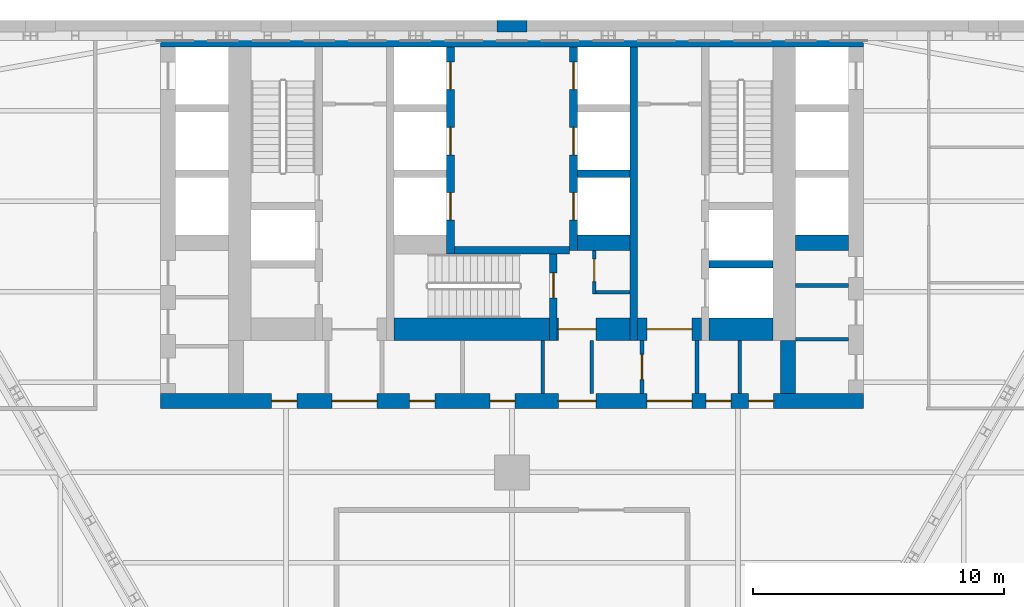
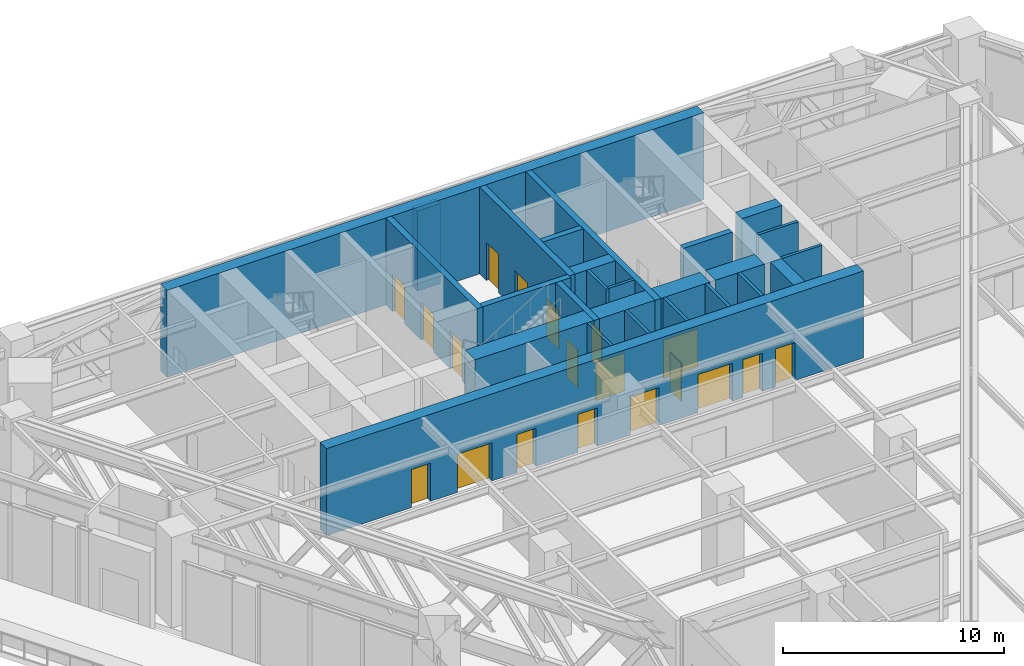
# One storey, part 20 of 25: 26 walls, 19 doors, 19 openings.
"""IFC4 building model written with IfcOpenShell, lengths in metres."""

from ifc_helpers import new_model, si_unit, direction, frame, frame_2d, origin, place, context, subcontext, project, spatial, rectangle, extrude, material, layer, layer_set, type_object, element, fill, save


model = new_model("IFC4")

# Units and contexts
model_context = context("Model", 3, precision=1e-05, world=origin(), true_north=direction((0.0, 1.0)))
body_context = subcontext(model_context, "Body", "Model", "MODEL_VIEW")
ifc_project = project(units=[si_unit("LENGTHUNIT", "METRE"), si_unit("AREAUNIT", "SQUARE_METRE"), si_unit("VOLUMEUNIT", "CUBIC_METRE"), si_unit("PLANEANGLEUNIT", "RADIAN"), si_unit("MASSUNIT", "GRAM", prefix="KILO")], contexts=[model_context])

# Site, building, storey
site_placement = place(None, origin())
site = spatial("IfcSite", under=ifc_project, at=site_placement, CompositionType="ELEMENT")
building_placement = place(site_placement, origin())
building = spatial("IfcBuilding", under=site, at=building_placement, Name="Aloe Facet Convention Tower", CompositionType="ELEMENT")
storey_placement = place(building_placement, frame((0.0, 0.0, 30.0)))
storey = spatial("IfcBuildingStorey", under=building, at=storey_placement, Name="L05", CompositionType="ELEMENT", Elevation=30.0)

# Walls
ifc_material_1 = material(Name="Concrete blockwork partition", Category="masonry")
ifc_layer_1 = layer(ifc_material_1, 0.14990234375)
ifc_layer_set_1 = layer_set([ifc_layer_1], Name="CR-W-PART150")
wall_type_1 = type_object("IfcWallType", Name="CR-W-PART150", PredefinedType="PARTITIONING", material=ifc_layer_set_1)
for number, where, z_axis, x_axis, name in (
    (1, (81.22509765625, 122.25, 0.0), (0.0, 0.0, 1.0), (0.0, -1.0, 0.0), "Core partition L05-027"),
    (2, (83.175048828125, 122.25, 0.0), (0.0, 0.0, 1.0), (0.0, -1.0, 0.0), "Core partition L05-034"),
):
    element("IfcWall", number, at=place(storey_placement, frame(where, z_axis=z_axis, x_axis=x_axis)), inside=storey, type_object=wall_type_1, Name=name, PredefinedType="PARTITIONING", context=body_context, shape_type="SweptSolid", body=[
        extrude(rectangle(XDim=2.10009765625, YDim=0.14990234375, at=frame_2d((1.050048828125, 0.0))), origin(), (0.0, 0.0, 1.0), 4.800048828125),
    ])

# Wall, opening, door
wall_1_placement = place(storey_placement, frame((83.27490234375, 125.85009765625, 0.0), z_axis=(0.0, 0.0, 1.0), x_axis=(0.0, -1.0, 0.0)))
wall_1 = element("IfcWall", 3, at=wall_1_placement, inside=storey, type_object=wall_type_1, Name="Core partition L05-035", PredefinedType="PARTITIONING", context=body_context, shape_type="SweptSolid", body=[
    extrude(rectangle(XDim=1.75, YDim=0.14990234375, at=frame_2d((0.875, 0.0))), origin(), (0.0, 0.0, 1.0), 4.800048828125),
])
opening_1_placement = place(wall_1_placement, frame((0.35009765625, 0.0, 0.0)))
opening_1 = element("IfcOpeningElement", 4, at=opening_1_placement, cuts=wall_1, Name="Opening L05-CD20", PredefinedType="OPENING", context=body_context, shape_type="SweptSolid", body=[
    extrude(rectangle(XDim=0.89990234375, YDim=2.10009765625, at=frame_2d((0.449951171875, 1.050048828125))), frame((0.0, 0.0849609375, 0.0), z_axis=(0.0, -1.0, 0.0), x_axis=(1.0, 0.0, 0.0)), (0.0, 0.0, 1.0), 0.169921875),
])
ifc_material_2 = material(Name="Steel fire-resisting door set FD60", Category="steel")
door_type_1 = type_object("IfcDoorType", Name="CR-D-REFUGE-900-FD60-SRIGHT", OperationType="SINGLE_SWING_RIGHT", PredefinedType="DOOR", material=ifc_material_2)
door_1_placement = place(opening_1_placement, origin())
door_1 = element("IfcDoor", 5, at=door_1_placement, inside=storey, type_object=door_type_1, Name="Core door L05-CD20", OperationType="SINGLE_SWING_RIGHT", OverallHeight=2.10009765625, OverallWidth=0.89990234375, PredefinedType="DOOR", context=body_context, shape_type="SweptSolid", body=[
    extrude(rectangle(XDim=0.89990234375, YDim=2.10009765625, at=frame_2d((0.449951171875, 1.050048828125))), frame((0.0, 0.02490234375, 0.0), z_axis=(0.0, -1.0, 0.0), x_axis=(1.0, 0.0, 0.0)), (0.0, 0.0, 1.0), 0.050048828125),
])
fill(opening_1, door_1)

# Wall
wall_2_placement = place(storey_placement, frame((83.35009765625, 124.175048828125, 0.0), z_axis=(0.0, 0.0, 1.0), x_axis=(1.0, 0.0, 0.0)))
element("IfcWall", 6, at=wall_2_placement, inside=storey, type_object=wall_type_1, Name="Core partition L05-036", PredefinedType="PARTITIONING", context=body_context, shape_type="SweptSolid", body=[
    extrude(rectangle(XDim=1.349853515625, YDim=0.14990234375, at=frame_2d((0.6748046875, 0.0))), origin(), (0.0, 0.0, 1.0), 4.800048828125),
])

# Wall, opening, door
wall_3_placement = place(storey_placement, frame((85.175048828125, 122.25, 0.0), z_axis=(0.0, 0.0, 1.0), x_axis=(0.0, -1.0, 0.0)))
wall_3 = element("IfcWall", 7, at=wall_3_placement, inside=storey, type_object=wall_type_1, Name="Core partition L05-040", PredefinedType="PARTITIONING", context=body_context, shape_type="SweptSolid", body=[
    extrude(rectangle(XDim=2.10009765625, YDim=0.14990234375, at=frame_2d((1.050048828125, 0.0))), origin(), (0.0, 0.0, 1.0), 4.800048828125),
])
opening_2_placement = place(wall_3_placement, frame((0.550048828125, 0.0, 0.0)))
opening_2 = element("IfcOpeningElement", 8, at=opening_2_placement, cuts=wall_3, Name="Opening L05-CD27", PredefinedType="OPENING", context=body_context, shape_type="SweptSolid", body=[
    extrude(rectangle(XDim=1.0, YDim=2.10009765625, at=frame_2d((0.5, 1.050048828125))), frame((0.0, 0.0849609375, 0.0), z_axis=(0.0, -1.0, 0.0), x_axis=(1.0, 0.0, 0.0)), (0.0, 0.0, 1.0), 0.169921875),
])
ifc_material_3 = material(Name="Steel fire-resisting door set FD60", Category="steel")
door_type_2 = type_object("IfcDoorType", Name="CR-D-ROOM-1000-FD60-SRIGHT", OperationType="SINGLE_SWING_RIGHT", PredefinedType="DOOR", material=ifc_material_3)
door_2_placement = place(opening_2_placement, origin())
door_2 = element("IfcDoor", 9, at=door_2_placement, inside=storey, type_object=door_type_2, Name="Core door L05-CD27", OperationType="SINGLE_SWING_RIGHT", OverallHeight=2.10009765625, OverallWidth=1.0, PredefinedType="DOOR", context=body_context, shape_type="SweptSolid", body=[
    extrude(rectangle(XDim=1.0, YDim=2.10009765625, at=frame_2d((0.5, 1.050048828125))), frame((0.0, 0.02490234375, 0.0), z_axis=(0.0, -1.0, 0.0), x_axis=(1.0, 0.0, 0.0)), (0.0, 0.0, 1.0), 0.050048828125),
])
fill(opening_2, door_2)

# Walls
for number, where, z_axis, x_axis, name in (
    (10, (87.375, 122.25, 0.0), (0.0, 0.0, 1.0), (0.0, -1.0, 0.0), "Core partition L05-041"),
    (11, (89.074951171875, 122.25, 0.0), (0.0, 0.0, 1.0), (0.0, -1.0, 0.0), "Core partition L05-046"),
):
    element("IfcWall", number, at=place(storey_placement, frame(where, z_axis=z_axis, x_axis=x_axis)), inside=storey, type_object=wall_type_1, Name=name, PredefinedType="PARTITIONING", context=body_context, shape_type="SweptSolid", body=[
        extrude(rectangle(XDim=2.10009765625, YDim=0.14990234375, at=frame_2d((1.050048828125, 0.0))), origin(), (0.0, 0.0, 1.0), 4.800048828125),
    ])
for number, where, z_axis, x_axis, name in (
    (12, (91.300048828125, 124.44873046875, 0.0), (0.0, 0.0, 1.0), (1.0, 0.0, 0.0), "Core partition L05-052"),
    (13, (91.300048828125, 122.309326171875, 0.0), (0.0, 0.0, 1.0), (1.0, 0.0, 0.0), "Core partition L05-053"),
):
    element("IfcWall", number, at=place(storey_placement, frame(where, z_axis=z_axis, x_axis=x_axis)), inside=storey, type_object=wall_type_1, Name=name, PredefinedType="PARTITIONING", context=body_context, shape_type="SweptSolid", body=[
        extrude(rectangle(XDim=2.099853515625, YDim=0.14990234375, at=frame_2d((1.0498046875, 0.0))), origin(), (0.0, 0.0, 1.0), 4.800048828125),
    ])

# Wall, openings, doors
ifc_material_4 = material(Name="Concrete C80/95", Category="concrete")
ifc_layer_2 = layer(ifc_material_4, 0.300048828125)
ifc_layer_set_2 = layer_set([ifc_layer_2], Name="CR-W-RC300-C8095")
wall_type_2 = type_object("IfcWallType", Name="CR-W-RC300-C8095", PredefinedType="SOLIDWALL", material=ifc_layer_set_2)
wall_4_placement = place(storey_placement, frame((77.550048828125, 133.949951171875, 0.0), z_axis=(0.0, 0.0, 1.0), x_axis=(0.0, -1.0, 0.0)))
wall_4 = element("IfcWall", 14, at=wall_4_placement, inside=storey, type_object=wall_type_2, Name="Core wall L05-024", PredefinedType="SOLIDWALL", context=body_context, shape_type="SweptSolid", body=[
    extrude(rectangle(XDim=8.25, YDim=0.300048828125, at=frame_2d((4.125, 0.0))), origin(), (0.0, 0.0, 1.0), 4.800048828125),
])
opening_3_placement = place(wall_4_placement, frame((0.60009765625, 0.0, 0.0)))
opening_3 = element("IfcOpeningElement", 15, at=opening_3_placement, cuts=wall_4, Name="Opening LD-A1-L05", PredefinedType="OPENING", context=body_context, shape_type="SweptSolid", body=[
    extrude(rectangle(XDim=1.10009765625, YDim=2.10009765625, at=frame_2d((0.550048828125, 1.050048828125))), frame((0.0, 0.16015625, 0.0), z_axis=(0.0, -1.0, 0.0), x_axis=(1.0, 0.0, 0.0)), (0.0, 0.0, 1.0), 0.320068359375),
])
opening_4_placement = place(wall_4_placement, frame((3.199951171875, 0.0, 0.0)))
opening_4 = element("IfcOpeningElement", 16, at=opening_4_placement, cuts=wall_4, Name="Opening LD-A2-L05", PredefinedType="OPENING", context=body_context, shape_type="SweptSolid", body=[
    extrude(rectangle(XDim=1.10009765625, YDim=2.10009765625, at=frame_2d((0.550048828125, 1.050048828125))), frame((0.0, 0.16015625, 0.0), z_axis=(0.0, -1.0, 0.0), x_axis=(1.0, 0.0, 0.0)), (0.0, 0.0, 1.0), 0.320068359375),
])
opening_5_placement = place(wall_4_placement, frame((5.800048828125, 0.0, 0.0)))
opening_5 = element("IfcOpeningElement", 17, at=opening_5_placement, cuts=wall_4, Name="Opening LD-A3-L05", PredefinedType="OPENING", context=body_context, shape_type="SweptSolid", body=[
    extrude(rectangle(XDim=1.10009765625, YDim=2.10009765625, at=frame_2d((0.550048828125, 1.050048828125))), frame((0.0, 0.16015625, 0.0), z_axis=(0.0, -1.0, 0.0), x_axis=(1.0, 0.0, 0.0)), (0.0, 0.0, 1.0), 0.320068359375),
])
ifc_material_5 = material(Name="Stainless steel sliding landing door", Category="steel")
door_type_3 = type_object("IfcDoorType", Name="CR-LD-1100-FD60-RIGHT", OperationType="SLIDING_TO_RIGHT", PredefinedType="DOOR", material=ifc_material_5)
door_3_placement = place(opening_3_placement, origin())
door_3 = element("IfcDoor", 18, at=door_3_placement, inside=storey, type_object=door_type_3, Name="Landing door A1 L05", OperationType="SLIDING_TO_RIGHT", OverallHeight=2.10009765625, OverallWidth=1.10009765625, PredefinedType="DOOR", context=body_context, shape_type="SweptSolid", body=[
    extrude(rectangle(XDim=1.10009765625, YDim=2.10009765625, at=frame_2d((0.550048828125, 1.050048828125))), frame((0.0, 0.02490234375, 0.0), z_axis=(0.0, -1.0, 0.0), x_axis=(1.0, 0.0, 0.0)), (0.0, 0.0, 1.0), 0.050048828125),
])
fill(opening_3, door_3)
door_4_placement = place(opening_4_placement, origin())
door_4 = element("IfcDoor", 19, at=door_4_placement, inside=storey, type_object=door_type_3, Name="Landing door A2 L05", OperationType="SLIDING_TO_RIGHT", OverallHeight=2.10009765625, OverallWidth=1.10009765625, PredefinedType="DOOR", context=body_context, shape_type="SweptSolid", body=[
    extrude(rectangle(XDim=1.10009765625, YDim=2.10009765625, at=frame_2d((0.550048828125, 1.050048828125))), frame((0.0, 0.02490234375, 0.0), z_axis=(0.0, -1.0, 0.0), x_axis=(1.0, 0.0, 0.0)), (0.0, 0.0, 1.0), 0.050048828125),
])
fill(opening_4, door_4)
door_5_placement = place(opening_5_placement, origin())
door_5 = element("IfcDoor", 20, at=door_5_placement, inside=storey, type_object=door_type_3, Name="Landing door A3 L05", OperationType="SLIDING_TO_RIGHT", OverallHeight=2.10009765625, OverallWidth=1.10009765625, PredefinedType="DOOR", context=body_context, shape_type="SweptSolid", body=[
    extrude(rectangle(XDim=1.10009765625, YDim=2.10009765625, at=frame_2d((0.550048828125, 1.050048828125))), frame((0.0, 0.02490234375, 0.0), z_axis=(0.0, -1.0, 0.0), x_axis=(1.0, 0.0, 0.0)), (0.0, 0.0, 1.0), 0.050048828125),
])
fill(opening_5, door_5)

# Wall
wall_5_placement = place(storey_placement, frame((77.699951171875, 125.85009765625, 0.0), z_axis=(0.0, 0.0, 1.0), x_axis=(1.0, 0.0, 0.0)))
element("IfcWall", 21, at=wall_5_placement, inside=storey, type_object=wall_type_2, Name="Core wall L05-025", PredefinedType="SOLIDWALL", context=body_context, shape_type="SweptSolid", body=[
    extrude(rectangle(XDim=4.60009765625, YDim=0.300048828125, at=frame_2d((2.300048828125, 0.0))), origin(), (0.0, 0.0, 1.0), 4.800048828125),
])

# Wall, opening, door
wall_6_placement = place(storey_placement, frame((81.64990234375, 125.699951171875, 0.0), z_axis=(0.0, 0.0, 1.0), x_axis=(0.0, -1.0, 0.0)))
wall_6 = element("IfcWall", 22, at=wall_6_placement, inside=storey, type_object=wall_type_2, Name="Core wall L05-028", PredefinedType="SOLIDWALL", context=body_context, shape_type="SweptSolid", body=[
    extrude(rectangle(XDim=3.449951171875, YDim=0.300048828125, at=frame_2d((1.72509765625, 0.0))), origin(), (0.0, 0.0, 1.0), 4.800048828125),
])
opening_6_placement = place(wall_6_placement, frame((0.75, 0.0, 0.0)))
opening_6 = element("IfcOpeningElement", 23, at=opening_6_placement, cuts=wall_6, Name="Opening L05-CD32", PredefinedType="OPENING", context=body_context, shape_type="SweptSolid", body=[
    extrude(rectangle(XDim=1.0, YDim=2.10009765625, at=frame_2d((0.5, 1.050048828125))), frame((0.0, 0.16015625, 0.0), z_axis=(0.0, -1.0, 0.0), x_axis=(1.0, 0.0, 0.0)), (0.0, 0.0, 1.0), 0.320068359375),
])
ifc_material_6 = material(Name="Steel fire-resisting door set FD120", Category="steel")
door_type_4 = type_object("IfcDoorType", Name="CR-D-STAIR-1000-FD120-SLEFT", OperationType="SINGLE_SWING_LEFT", PredefinedType="DOOR", material=ifc_material_6)
door_6_placement = place(opening_6_placement, origin())
door_6 = element("IfcDoor", 24, at=door_6_placement, inside=storey, type_object=door_type_4, Name="Core door L05-CD32", OperationType="SINGLE_SWING_LEFT", OverallHeight=2.10009765625, OverallWidth=1.0, PredefinedType="DOOR", context=body_context, shape_type="SweptSolid", body=[
    extrude(rectangle(XDim=1.0, YDim=2.10009765625, at=frame_2d((0.5, 1.050048828125))), frame((0.0, 0.02490234375, 0.0), z_axis=(0.0, -1.0, 0.0), x_axis=(1.0, 0.0, 0.0)), (0.0, 0.0, 1.0), 0.050048828125),
])
fill(opening_6, door_6)

# Wall, openings, doors
wall_7_placement = place(storey_placement, frame((82.449951171875, 133.949951171875, 0.0), z_axis=(0.0, 0.0, 1.0), x_axis=(0.0, -1.0, 0.0)))
wall_7 = element("IfcWall", 25, at=wall_7_placement, inside=storey, type_object=wall_type_2, Name="Core wall L05-030", PredefinedType="SOLIDWALL", context=body_context, shape_type="SweptSolid", body=[
    extrude(rectangle(XDim=8.099853515625, YDim=0.300048828125, at=frame_2d((4.0498046875, 0.0))), origin(), (0.0, 0.0, 1.0), 4.800048828125),
])
opening_7_placement = place(wall_7_placement, frame((0.60009765625, 0.0, 0.0)))
opening_7 = element("IfcOpeningElement", 26, at=opening_7_placement, cuts=wall_7, Name="Opening LD-A4-L05", PredefinedType="OPENING", context=body_context, shape_type="SweptSolid", body=[
    extrude(rectangle(XDim=1.10009765625, YDim=2.10009765625, at=frame_2d((0.550048828125, 1.050048828125))), frame((0.0, 0.16015625, 0.0), z_axis=(0.0, -1.0, 0.0), x_axis=(1.0, 0.0, 0.0)), (0.0, 0.0, 1.0), 0.320068359375),
])
opening_8_placement = place(wall_7_placement, frame((3.199951171875, 0.0, 0.0)))
opening_8 = element("IfcOpeningElement", 27, at=opening_8_placement, cuts=wall_7, Name="Opening LD-A5-L05", PredefinedType="OPENING", context=body_context, shape_type="SweptSolid", body=[
    extrude(rectangle(XDim=1.10009765625, YDim=2.10009765625, at=frame_2d((0.550048828125, 1.050048828125))), frame((0.0, 0.16015625, 0.0), z_axis=(0.0, -1.0, 0.0), x_axis=(1.0, 0.0, 0.0)), (0.0, 0.0, 1.0), 0.320068359375),
])
opening_9_placement = place(wall_7_placement, frame((5.800048828125, 0.0, 0.0)))
opening_9 = element("IfcOpeningElement", 28, at=opening_9_placement, cuts=wall_7, Name="Opening LD-A6-L05", PredefinedType="OPENING", context=body_context, shape_type="SweptSolid", body=[
    extrude(rectangle(XDim=1.10009765625, YDim=2.10009765625, at=frame_2d((0.550048828125, 1.050048828125))), frame((0.0, 0.16015625, 0.0), z_axis=(0.0, -1.0, 0.0), x_axis=(1.0, 0.0, 0.0)), (0.0, 0.0, 1.0), 0.320068359375),
])
ifc_material_7 = material(Name="Stainless steel sliding landing door", Category="steel")
door_type_5 = type_object("IfcDoorType", Name="CR-LD-1100-FD60-_LEFT", OperationType="SLIDING_TO_LEFT", PredefinedType="DOOR", material=ifc_material_7)
door_7_placement = place(opening_7_placement, origin())
door_7 = element("IfcDoor", 29, at=door_7_placement, inside=storey, type_object=door_type_5, Name="Landing door A4 L05", OperationType="SLIDING_TO_LEFT", OverallHeight=2.10009765625, OverallWidth=1.10009765625, PredefinedType="DOOR", context=body_context, shape_type="SweptSolid", body=[
    extrude(rectangle(XDim=1.10009765625, YDim=2.10009765625, at=frame_2d((0.550048828125, 1.050048828125))), frame((0.0, 0.02490234375, 0.0), z_axis=(0.0, -1.0, 0.0), x_axis=(1.0, 0.0, 0.0)), (0.0, 0.0, 1.0), 0.050048828125),
])
fill(opening_7, door_7)
door_8_placement = place(opening_8_placement, origin())
door_8 = element("IfcDoor", 30, at=door_8_placement, inside=storey, type_object=door_type_5, Name="Landing door A5 L05", OperationType="SLIDING_TO_LEFT", OverallHeight=2.10009765625, OverallWidth=1.10009765625, PredefinedType="DOOR", context=body_context, shape_type="SweptSolid", body=[
    extrude(rectangle(XDim=1.10009765625, YDim=2.10009765625, at=frame_2d((0.550048828125, 1.050048828125))), frame((0.0, 0.02490234375, 0.0), z_axis=(0.0, -1.0, 0.0), x_axis=(1.0, 0.0, 0.0)), (0.0, 0.0, 1.0), 0.050048828125),
])
fill(opening_8, door_8)
door_9_placement = place(opening_9_placement, origin())
door_9 = element("IfcDoor", 31, at=door_9_placement, inside=storey, type_object=door_type_5, Name="Landing door A6 L05", OperationType="SLIDING_TO_LEFT", OverallHeight=2.10009765625, OverallWidth=1.10009765625, PredefinedType="DOOR", context=body_context, shape_type="SweptSolid", body=[
    extrude(rectangle(XDim=1.10009765625, YDim=2.10009765625, at=frame_2d((0.550048828125, 1.050048828125))), frame((0.0, 0.02490234375, 0.0), z_axis=(0.0, -1.0, 0.0), x_axis=(1.0, 0.0, 0.0)), (0.0, 0.0, 1.0), 0.050048828125),
])
fill(opening_9, door_9)

# Walls
wall_8_placement = place(storey_placement, frame((82.60009765625, 128.89990234375, 0.0), z_axis=(0.0, 0.0, 1.0), x_axis=(1.0, 0.0, 0.0)))
element("IfcWall", 32, at=wall_8_placement, inside=storey, type_object=wall_type_2, Name="Core wall L05-032", PredefinedType="SOLIDWALL", context=body_context, shape_type="SweptSolid", body=[
    extrude(rectangle(XDim=2.099853515625, YDim=0.300048828125, at=frame_2d((1.0498046875, 0.0))), origin(), (0.0, 0.0, 1.0), 4.800048828125),
])
wall_9_placement = place(storey_placement, frame((84.85009765625, 133.949951171875, 0.0), z_axis=(0.0, 0.0, 1.0), x_axis=(0.0, -1.0, 0.0)))
element("IfcWall", 33, at=wall_9_placement, inside=storey, type_object=wall_type_2, Name="Core wall L05-037", PredefinedType="SOLIDWALL", context=body_context, shape_type="SweptSolid", body=[
    extrude(rectangle(XDim=11.699951171875, YDim=0.300048828125, at=frame_2d((5.85009765625, 0.0))), origin(), (0.0, 0.0, 1.0), 4.800048828125),
])
wall_10_placement = place(storey_placement, frame((87.85009765625, 125.300048828125, 0.0), z_axis=(0.0, 0.0, 1.0), x_axis=(1.0, 0.0, 0.0)))
element("IfcWall", 34, at=wall_10_placement, inside=storey, type_object=wall_type_2, Name="Core wall L05-044", PredefinedType="SOLIDWALL", context=body_context, shape_type="SweptSolid", body=[
    extrude(rectangle(XDim=2.5498046875, YDim=0.300048828125, at=frame_2d((1.27490234375, 0.0))), origin(), (0.0, 0.0, 1.0), 4.800048828125),
])
ifc_material_8 = material(Name="Concrete C80/95", Category="concrete")
ifc_layer_3 = layer(ifc_material_8, 0.60009765625)
ifc_layer_set_3 = layer_set([ifc_layer_3], Name="CR-W-RC600-C8095")
wall_type_3 = type_object("IfcWallType", Name="CR-W-RC600-C8095", PredefinedType="SOLIDWALL", material=ifc_layer_set_3)
wall_11_placement = place(storey_placement, frame((66.0, 134.25, 0.0), z_axis=(0.0, 0.0, 1.0), x_axis=(1.0, 0.0, 0.0)))
element("IfcWall", 35, at=wall_11_placement, inside=storey, type_object=wall_type_3, Name="Core wall L05-001", PredefinedType="SOLIDWALL", context=body_context, shape_type="SweptSolid", body=[
    extrude(rectangle(XDim=28.0, YDim=0.60009765625, at=frame_2d((14.0, 0.0))), origin(), (0.0, 0.0, 1.0), 4.800048828125),
])

# Wall, openings, doors
wall_12_placement = place(storey_placement, frame((66.0, 119.85009765625, 0.0), z_axis=(0.0, 0.0, 1.0), x_axis=(1.0, 0.0, 0.0)))
wall_12 = element("IfcWall", 36, at=wall_12_placement, inside=storey, type_object=wall_type_3, Name="Core wall L05-003", PredefinedType="SOLIDWALL", context=body_context, shape_type="SweptSolid", body=[
    extrude(rectangle(XDim=28.0, YDim=0.60009765625, at=frame_2d((14.0, 0.0))), origin(), (0.0, 0.0, 1.0), 4.800048828125),
])
opening_10_placement = place(wall_12_placement, frame((6.824951171875, 0.0, 0.0)))
opening_10 = element("IfcOpeningElement", 37, at=opening_10_placement, cuts=wall_12, Name="Opening L05-CD17", PredefinedType="OPENING", context=body_context, shape_type="SweptSolid", body=[
    extrude(rectangle(XDim=1.800048828125, YDim=2.10009765625, at=frame_2d((0.89990234375, 1.050048828125))), frame((0.0, 0.31005859375, 0.0), z_axis=(0.0, -1.0, 0.0), x_axis=(1.0, 0.0, 0.0)), (0.0, 0.0, 1.0), 0.6201171875),
])
opening_11_placement = place(wall_12_placement, frame((15.85009765625, 0.0, 0.0)))
opening_11 = element("IfcOpeningElement", 38, at=opening_11_placement, cuts=wall_12, Name="Opening L05-CD18", PredefinedType="OPENING", context=body_context, shape_type="SweptSolid", body=[
    extrude(rectangle(XDim=1.5, YDim=2.10009765625, at=frame_2d((0.75, 1.050048828125))), frame((0.0, 0.31005859375, 0.0), z_axis=(0.0, -1.0, 0.0), x_axis=(1.0, 0.0, 0.0)), (0.0, 0.0, 1.0), 0.6201171875),
])
opening_12_placement = place(wall_12_placement, frame((19.375, 0.0, 0.0)))
opening_12 = element("IfcOpeningElement", 39, at=opening_12_placement, cuts=wall_12, Name="Opening L05-CD19", PredefinedType="OPENING", context=body_context, shape_type="SweptSolid", body=[
    extrude(rectangle(XDim=1.800048828125, YDim=2.10009765625, at=frame_2d((0.89990234375, 1.050048828125))), frame((0.0, 0.31005859375, 0.0), z_axis=(0.0, -1.0, 0.0), x_axis=(1.0, 0.0, 0.0)), (0.0, 0.0, 1.0), 0.6201171875),
])
opening_13_placement = place(wall_12_placement, frame((4.425048828125, 0.0, 0.0)))
opening_13 = element("IfcOpeningElement", 40, at=opening_13_placement, cuts=wall_12, Name="Opening L05-CD24", PredefinedType="OPENING", context=body_context, shape_type="SweptSolid", body=[
    extrude(rectangle(XDim=1.0, YDim=2.10009765625, at=frame_2d((0.5, 1.050048828125))), frame((0.0, 0.31005859375, 0.0), z_axis=(0.0, -1.0, 0.0), x_axis=(1.0, 0.0, 0.0)), (0.0, 0.0, 1.0), 0.6201171875),
])
opening_14_placement = place(wall_12_placement, frame((9.925048828125, 0.0, 0.0)))
opening_14 = element("IfcOpeningElement", 41, at=opening_14_placement, cuts=wall_12, Name="Opening L05-CD25", PredefinedType="OPENING", context=body_context, shape_type="SweptSolid", body=[
    extrude(rectangle(XDim=1.0, YDim=2.10009765625, at=frame_2d((0.5, 1.050048828125))), frame((0.0, 0.31005859375, 0.0), z_axis=(0.0, -1.0, 0.0), x_axis=(1.0, 0.0, 0.0)), (0.0, 0.0, 1.0), 0.6201171875),
])
opening_15_placement = place(wall_12_placement, frame((13.125, 0.0, 0.0)))
opening_15 = element("IfcOpeningElement", 42, at=opening_15_placement, cuts=wall_12, Name="Opening L05-CD26", PredefinedType="OPENING", context=body_context, shape_type="SweptSolid", body=[
    extrude(rectangle(XDim=1.0, YDim=2.10009765625, at=frame_2d((0.5, 1.050048828125))), frame((0.0, 0.31005859375, 0.0), z_axis=(0.0, -1.0, 0.0), x_axis=(1.0, 0.0, 0.0)), (0.0, 0.0, 1.0), 0.6201171875),
])
opening_16_placement = place(wall_12_placement, frame((21.72509765625, 0.0, 0.0)))
opening_16 = element("IfcOpeningElement", 43, at=opening_16_placement, cuts=wall_12, Name="Opening L05-CD28", PredefinedType="OPENING", context=body_context, shape_type="SweptSolid", body=[
    extrude(rectangle(XDim=1.0, YDim=2.10009765625, at=frame_2d((0.5, 1.050048828125))), frame((0.0, 0.31005859375, 0.0), z_axis=(0.0, -1.0, 0.0), x_axis=(1.0, 0.0, 0.0)), (0.0, 0.0, 1.0), 0.6201171875),
])
opening_17_placement = place(wall_12_placement, frame((23.425048828125, 0.0, 0.0)))
opening_17 = element("IfcOpeningElement", 44, at=opening_17_placement, cuts=wall_12, Name="Opening L05-CD29", PredefinedType="OPENING", context=body_context, shape_type="SweptSolid", body=[
    extrude(rectangle(XDim=1.0, YDim=2.10009765625, at=frame_2d((0.5, 1.050048828125))), frame((0.0, 0.31005859375, 0.0), z_axis=(0.0, -1.0, 0.0), x_axis=(1.0, 0.0, 0.0)), (0.0, 0.0, 1.0), 0.6201171875),
])
ifc_material_9 = material(Name="Steel fire-resisting door set FD60", Category="steel")
door_type_6 = type_object("IfcDoorType", Name="CR-D-EXIT-1500-FD60-DD", OperationType="DOUBLE_DOOR_DOUBLE_SWING", PredefinedType="DOOR", material=ifc_material_9)
door_10_placement = place(opening_11_placement, origin())
door_10 = element("IfcDoor", 45, at=door_10_placement, inside=storey, type_object=door_type_6, Name="Core door L05-CD18", OperationType="DOUBLE_DOOR_DOUBLE_SWING", OverallHeight=2.10009765625, OverallWidth=1.5, PredefinedType="DOOR", context=body_context, shape_type="SweptSolid", body=[
    extrude(rectangle(XDim=1.5, YDim=2.10009765625, at=frame_2d((0.75, 1.050048828125))), frame((0.0, 0.02490234375, 0.0), z_axis=(0.0, -1.0, 0.0), x_axis=(1.0, 0.0, 0.0)), (0.0, 0.0, 1.0), 0.050048828125),
])
fill(opening_11, door_10)
ifc_material_10 = material(Name="Steel fire-resisting door set FD60", Category="steel")
door_type_7 = type_object("IfcDoorType", Name="CR-D-EXIT-1800-FD60-DD", OperationType="DOUBLE_DOOR_DOUBLE_SWING", PredefinedType="DOOR", material=ifc_material_10)
door_11_placement = place(opening_10_placement, origin())
door_11 = element("IfcDoor", 46, at=door_11_placement, inside=storey, type_object=door_type_7, Name="Core door L05-CD17", OperationType="DOUBLE_DOOR_DOUBLE_SWING", OverallHeight=2.10009765625, OverallWidth=1.800048828125, PredefinedType="DOOR", context=body_context, shape_type="SweptSolid", body=[
    extrude(rectangle(XDim=1.800048828125, YDim=2.10009765625, at=frame_2d((0.89990234375, 1.050048828125))), frame((0.0, 0.02490234375, 0.0), z_axis=(0.0, -1.0, 0.0), x_axis=(1.0, 0.0, 0.0)), (0.0, 0.0, 1.0), 0.050048828125),
])
fill(opening_10, door_11)
door_12_placement = place(opening_12_placement, origin())
door_12 = element("IfcDoor", 47, at=door_12_placement, inside=storey, type_object=door_type_7, Name="Core door L05-CD19", OperationType="DOUBLE_DOOR_DOUBLE_SWING", OverallHeight=2.10009765625, OverallWidth=1.800048828125, PredefinedType="DOOR", context=body_context, shape_type="SweptSolid", body=[
    extrude(rectangle(XDim=1.800048828125, YDim=2.10009765625, at=frame_2d((0.89990234375, 1.050048828125))), frame((0.0, 0.02490234375, 0.0), z_axis=(0.0, -1.0, 0.0), x_axis=(1.0, 0.0, 0.0)), (0.0, 0.0, 1.0), 0.050048828125),
])
fill(opening_12, door_12)
door_13_placement = place(opening_13_placement, origin())
door_13 = element("IfcDoor", 48, at=door_13_placement, inside=storey, type_object=door_type_2, Name="Core door L05-CD24", OperationType="SINGLE_SWING_RIGHT", OverallHeight=2.10009765625, OverallWidth=1.0, PredefinedType="DOOR", context=body_context, shape_type="SweptSolid", body=[
    extrude(rectangle(XDim=1.0, YDim=2.10009765625, at=frame_2d((0.5, 1.050048828125))), frame((0.0, 0.02490234375, 0.0), z_axis=(0.0, -1.0, 0.0), x_axis=(1.0, 0.0, 0.0)), (0.0, 0.0, 1.0), 0.050048828125),
])
fill(opening_13, door_13)
door_14_placement = place(opening_14_placement, origin())
door_14 = element("IfcDoor", 49, at=door_14_placement, inside=storey, type_object=door_type_2, Name="Core door L05-CD25", OperationType="SINGLE_SWING_RIGHT", OverallHeight=2.10009765625, OverallWidth=1.0, PredefinedType="DOOR", context=body_context, shape_type="SweptSolid", body=[
    extrude(rectangle(XDim=1.0, YDim=2.10009765625, at=frame_2d((0.5, 1.050048828125))), frame((0.0, 0.02490234375, 0.0), z_axis=(0.0, -1.0, 0.0), x_axis=(1.0, 0.0, 0.0)), (0.0, 0.0, 1.0), 0.050048828125),
])
fill(opening_14, door_14)
door_15_placement = place(opening_15_placement, origin())
door_15 = element("IfcDoor", 50, at=door_15_placement, inside=storey, type_object=door_type_2, Name="Core door L05-CD26", OperationType="SINGLE_SWING_RIGHT", OverallHeight=2.10009765625, OverallWidth=1.0, PredefinedType="DOOR", context=body_context, shape_type="SweptSolid", body=[
    extrude(rectangle(XDim=1.0, YDim=2.10009765625, at=frame_2d((0.5, 1.050048828125))), frame((0.0, 0.02490234375, 0.0), z_axis=(0.0, -1.0, 0.0), x_axis=(1.0, 0.0, 0.0)), (0.0, 0.0, 1.0), 0.050048828125),
])
fill(opening_15, door_15)
door_16_placement = place(opening_16_placement, origin())
door_16 = element("IfcDoor", 51, at=door_16_placement, inside=storey, type_object=door_type_2, Name="Core door L05-CD28", OperationType="SINGLE_SWING_RIGHT", OverallHeight=2.10009765625, OverallWidth=1.0, PredefinedType="DOOR", context=body_context, shape_type="SweptSolid", body=[
    extrude(rectangle(XDim=1.0, YDim=2.10009765625, at=frame_2d((0.5, 1.050048828125))), frame((0.0, 0.02490234375, 0.0), z_axis=(0.0, -1.0, 0.0), x_axis=(1.0, 0.0, 0.0)), (0.0, 0.0, 1.0), 0.050048828125),
])
fill(opening_16, door_16)
door_17_placement = place(opening_17_placement, origin())
door_17 = element("IfcDoor", 52, at=door_17_placement, inside=storey, type_object=door_type_2, Name="Core door L05-CD29", OperationType="SINGLE_SWING_RIGHT", OverallHeight=2.10009765625, OverallWidth=1.0, PredefinedType="DOOR", context=body_context, shape_type="SweptSolid", body=[
    extrude(rectangle(XDim=1.0, YDim=2.10009765625, at=frame_2d((0.5, 1.050048828125))), frame((0.0, 0.02490234375, 0.0), z_axis=(0.0, -1.0, 0.0), x_axis=(1.0, 0.0, 0.0)), (0.0, 0.0, 1.0), 0.050048828125),
])
fill(opening_17, door_17)

# Walls
wall_13_placement = place(storey_placement, frame((82.60009765625, 126.14990234375, 0.0), z_axis=(0.0, 0.0, 1.0), x_axis=(1.0, 0.0, 0.0)))
element("IfcWall", 53, at=wall_13_placement, inside=storey, type_object=wall_type_3, Name="Core wall L05-033", PredefinedType="SOLIDWALL", context=body_context, shape_type="SweptSolid", body=[
    extrude(rectangle(XDim=2.099853515625, YDim=0.60009765625, at=frame_2d((1.0498046875, 0.0))), origin(), (0.0, 0.0, 1.0), 4.800048828125),
])
wall_14_placement = place(storey_placement, frame((91.0, 122.25, 0.0), z_axis=(0.0, 0.0, 1.0), x_axis=(0.0, -1.0, 0.0)))
element("IfcWall", 54, at=wall_14_placement, inside=storey, type_object=wall_type_3, Name="Core wall L05-048", PredefinedType="SOLIDWALL", context=body_context, shape_type="SweptSolid", body=[
    extrude(rectangle(XDim=2.10009765625, YDim=0.60009765625, at=frame_2d((1.050048828125, 0.0))), origin(), (0.0, 0.0, 1.0), 4.800048828125),
])
wall_15_placement = place(storey_placement, frame((91.300048828125, 126.14990234375, 0.0), z_axis=(0.0, 0.0, 1.0), x_axis=(1.0, 0.0, 0.0)))
element("IfcWall", 55, at=wall_15_placement, inside=storey, type_object=wall_type_3, Name="Core wall L05-051", PredefinedType="SOLIDWALL", context=body_context, shape_type="SweptSolid", body=[
    extrude(rectangle(XDim=2.099853515625, YDim=0.60009765625, at=frame_2d((1.0498046875, 0.0))), origin(), (0.0, 0.0, 1.0), 4.800048828125),
])
ifc_material_11 = material(Name="Concrete C80/95", Category="concrete")
ifc_layer_4 = layer(ifc_material_11, 0.89990234375)
ifc_layer_set_4 = layer_set([ifc_layer_4], Name="CR-W-RC900-C8095")
wall_type_4 = type_object("IfcWallType", Name="CR-W-RC900-C8095", PredefinedType="SOLIDWALL", material=ifc_layer_set_4)
wall_16_placement = place(storey_placement, frame((75.300048828125, 122.699951171875, 0.0), z_axis=(0.0, 0.0, 1.0), x_axis=(1.0, 0.0, 0.0)))
element("IfcWall", 56, at=wall_16_placement, inside=storey, type_object=wall_type_4, Name="Core wall L05-023", PredefinedType="SOLIDWALL", context=body_context, shape_type="SweptSolid", body=[
    extrude(rectangle(XDim=6.199951171875, YDim=0.89990234375, at=frame_2d((3.10009765625, 0.0))), origin(), (0.0, 0.0, 1.0), 4.800048828125),
])

# Wall, opening, door
wall_17_placement = place(storey_placement, frame((81.800048828125, 122.699951171875, 0.0), z_axis=(0.0, 0.0, 1.0), x_axis=(1.0, 0.0, 0.0)))
wall_17 = element("IfcWall", 57, at=wall_17_placement, inside=storey, type_object=wall_type_4, Name="Core wall L05-029", PredefinedType="SOLIDWALL", context=body_context, shape_type="SweptSolid", body=[
    extrude(rectangle(XDim=2.89990234375, YDim=0.89990234375, at=frame_2d((1.449951171875, 0.0))), origin(), (0.0, 0.0, 1.0), 4.800048828125),
])
opening_18_placement = place(wall_17_placement, frame((0.050048828125, 0.0, 0.0)))
opening_18 = element("IfcOpeningElement", 58, at=opening_18_placement, cuts=wall_17, Name="Opening L05-CD16", PredefinedType="OPENING", context=body_context, shape_type="SweptSolid", body=[
    extrude(rectangle(XDim=1.5, YDim=2.10009765625, at=frame_2d((0.75, 1.050048828125))), frame((0.0, 0.4599609375, 0.0), z_axis=(0.0, -1.0, 0.0), x_axis=(1.0, 0.0, 0.0)), (0.0, 0.0, 1.0), 0.919921875),
])
door_18_placement = place(opening_18_placement, origin())
door_18 = element("IfcDoor", 59, at=door_18_placement, inside=storey, type_object=door_type_6, Name="Core door L05-CD16", OperationType="DOUBLE_DOOR_DOUBLE_SWING", OverallHeight=2.10009765625, OverallWidth=1.5, PredefinedType="DOOR", context=body_context, shape_type="SweptSolid", body=[
    extrude(rectangle(XDim=1.5, YDim=2.10009765625, at=frame_2d((0.75, 1.050048828125))), frame((0.0, 0.02490234375, 0.0), z_axis=(0.0, -1.0, 0.0), x_axis=(1.0, 0.0, 0.0)), (0.0, 0.0, 1.0), 0.050048828125),
])
fill(opening_18, door_18)

wall_18_placement = place(storey_placement, frame((85.0, 122.699951171875, 0.0), z_axis=(0.0, 0.0, 1.0), x_axis=(1.0, 0.0, 0.0)))
wall_18 = element("IfcWall", 60, at=wall_18_placement, inside=storey, type_object=wall_type_4, Name="Core wall L05-039", PredefinedType="SOLIDWALL", context=body_context, shape_type="SweptSolid", body=[
    extrude(rectangle(XDim=2.550048828125, YDim=0.89990234375, at=frame_2d((1.27490234375, 0.0))), origin(), (0.0, 0.0, 1.0), 4.800048828125),
])
opening_19_placement = place(wall_18_placement, frame((0.375, 0.0, 0.0)))
opening_19 = element("IfcOpeningElement", 61, at=opening_19_placement, cuts=wall_18, Name="Opening L05-CD14", PredefinedType="OPENING", context=body_context, shape_type="SweptSolid", body=[
    extrude(rectangle(XDim=1.800048828125, YDim=2.10009765625, at=frame_2d((0.89990234375, 1.050048828125))), frame((0.0, 0.4599609375, 0.0), z_axis=(0.0, -1.0, 0.0), x_axis=(1.0, 0.0, 0.0)), (0.0, 0.0, 1.0), 0.919921875),
])
ifc_material_12 = material(Name="Steel fire-resisting door set FD120", Category="steel")
door_type_8 = type_object("IfcDoorType", Name="CR-D-EXIT-1800-FD120-DD", OperationType="DOUBLE_DOOR_DOUBLE_SWING", PredefinedType="DOOR", material=ifc_material_12)
door_19_placement = place(opening_19_placement, origin())
door_19 = element("IfcDoor", 62, at=door_19_placement, inside=storey, type_object=door_type_8, Name="Core door L05-CD14", OperationType="DOUBLE_DOOR_DOUBLE_SWING", OverallHeight=2.10009765625, OverallWidth=1.800048828125, PredefinedType="DOOR", context=body_context, shape_type="SweptSolid", body=[
    extrude(rectangle(XDim=1.800048828125, YDim=2.10009765625, at=frame_2d((0.89990234375, 1.050048828125))), frame((0.0, 0.02490234375, 0.0), z_axis=(0.0, -1.0, 0.0), x_axis=(1.0, 0.0, 0.0)), (0.0, 0.0, 1.0), 0.050048828125),
])
fill(opening_19, door_19)

# Walls
wall_19_placement = place(storey_placement, frame((87.85009765625, 122.699951171875, 0.0), z_axis=(0.0, 0.0, 1.0), x_axis=(1.0, 0.0, 0.0)))
element("IfcWall", 63, at=wall_19_placement, inside=storey, type_object=wall_type_4, Name="Core wall L05-045", PredefinedType="SOLIDWALL", context=body_context, shape_type="SweptSolid", body=[
    extrude(rectangle(XDim=2.5498046875, YDim=0.89990234375, at=frame_2d((1.27490234375, 0.0))), origin(), (0.0, 0.0, 1.0), 4.800048828125),
])
ifc_material_13 = material(Name="Precast concrete C40/50", Category="concrete")
ifc_layer_5 = layer(ifc_material_13, 0.449951171875)
ifc_layer_set_5 = layer_set([ifc_layer_5], Name="EV-WALL-STONE")
wall_type_5 = type_object("IfcWallType", Name="EV-WALL-STONE", PredefinedType="SOLIDWALL", material=ifc_layer_set_5)
wall_20_placement = place(storey_placement, frame((80.60009765625, 134.77490234375, -0.300048828125), z_axis=(0.0, 0.0, 1.0), x_axis=(-1.0, 0.0, 0.0)))
element("IfcWall", 64, at=wall_20_placement, inside=storey, type_object=wall_type_5, Name="PW-L05-N07", PredefinedType="SOLIDWALL", context=body_context, shape_type="SweptSolid", body=[
    extrude(rectangle(XDim=1.2001953125, YDim=0.449951171875, at=frame_2d((0.60009765625, 0.0))), origin(), (0.0, 0.0, 1.0), 4.41259765625),
])

save(model, "model.ifc")
